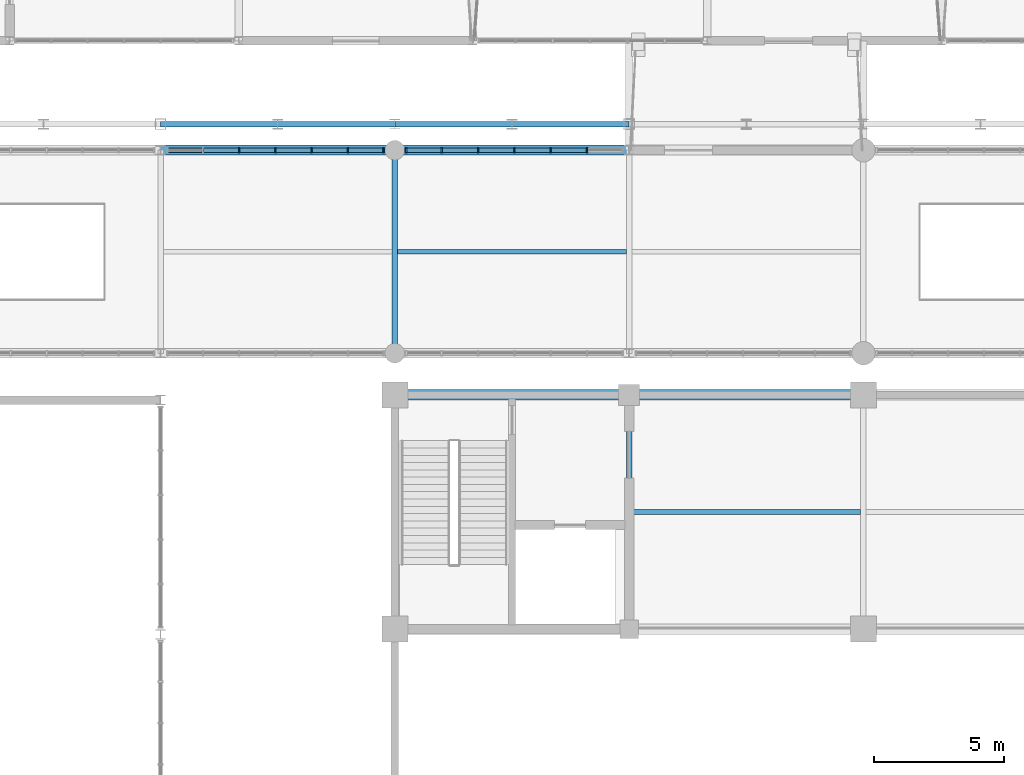
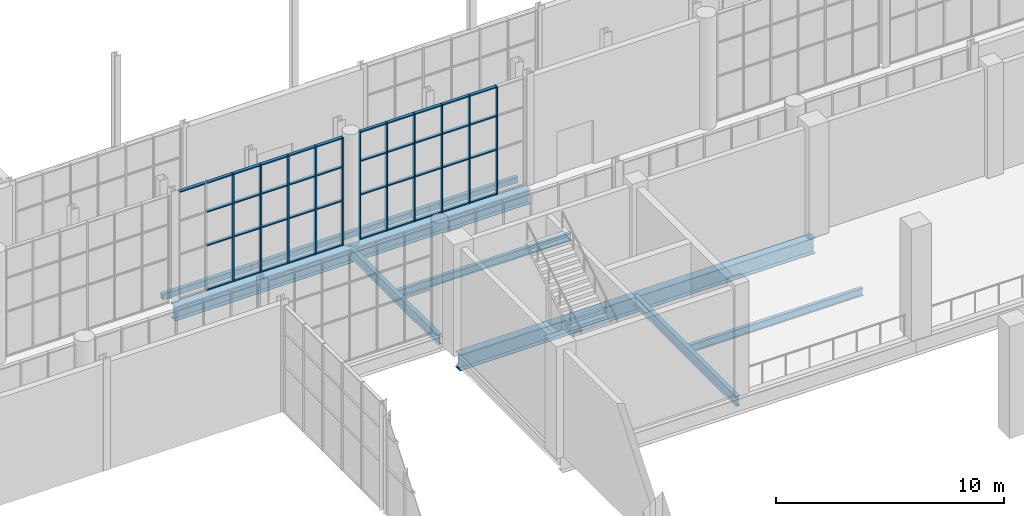
# One storey, part 39 of 159: 52 members, 11 beams, 2 elements without a shape of their own.
"""IFC4 building model written with IfcOpenShell, lengths in metres."""

from ifc_helpers import new_model, si_unit, direction, frame, origin, origin_2d, place, context, subcontext, project, spatial, rectangle, hollow_rectangle, i_section, extrude, material, layer, layer_set, material_profile, profile_set, type_object, element, aggregate, save


model = new_model("IFC4")

# Units and contexts
model_context = context("Model", 3, precision=1e-05, world=origin(), true_north=direction((0.0, 1.0)))
body_context = subcontext(model_context, "Body", "Model", "MODEL_VIEW")
ifc_project = project(units=[si_unit("LENGTHUNIT", "METRE"), si_unit("AREAUNIT", "SQUARE_METRE"), si_unit("VOLUMEUNIT", "CUBIC_METRE"), si_unit("PLANEANGLEUNIT", "RADIAN"), si_unit("MASSUNIT", "GRAM", prefix="KILO")], contexts=[model_context])

# Site, building, storey
site_placement = place(None, origin())
site = spatial("IfcSite", under=ifc_project, at=site_placement, CompositionType="ELEMENT")
building_placement = place(site_placement, origin())
building = spatial("IfcBuilding", under=site, at=building_placement, Name="Cazmaro Siding Exhibition Halls", CompositionType="ELEMENT")
storey_placement = place(building_placement, frame((0.0, 0.0, 6.0)))
storey = spatial("IfcBuildingStorey", under=building, at=storey_placement, Name="L01", CompositionType="ELEMENT", Elevation=6.0)

# Beams
ifc_material_1 = material(Name="Steel ASTM A992 Grade 50", Category="steel")
ifc_material_profile_1 = material_profile(ifc_material_1, i_section(OverallWidth=0.214111328125, OverallDepth=0.549072265625, WebThickness=0.014892578125, FlangeThickness=0.02392578125, at=origin_2d()), Name="W21X93")
ifc_profile_set_1 = profile_set([ifc_material_profile_1], Name="Steel ASTM A992 Grade 50")
beam_type_1 = type_object("IfcBeamType", Name="B-01", PredefinedType="BEAM", material=ifc_profile_set_1)
beam_1_placement = place(storey_placement, frame((81.0, 44.60009765625, -0.52392578125), z_axis=(0.0, 1.0, 0.0), x_axis=(-1.0, 0.0, 0.0)))
element("IfcBeam", 1, at=beam_1_placement, inside=storey, type_object=beam_type_1, Name="Beam B-01 BM-1307", PredefinedType="BEAM", context=body_context, shape_type="SweptSolid", body=[
    extrude(i_section(OverallWidth=0.214111328125, OverallDepth=0.549072265625, WebThickness=0.014892578125, FlangeThickness=0.02392578125, at=origin_2d()), origin(), (0.0, 0.0, 1.0), 9.0),
])
ifc_material_2 = material(Name="Steel ASTM A992 Grade 50", Category="steel")
ifc_material_profile_2 = material_profile(ifc_material_2, i_section(OverallWidth=0.2099609375, OverallDepth=0.535888671875, WebThickness=0.010986328125, FlangeThickness=0.01708984375, at=origin_2d()), Name="W21X68")
ifc_profile_set_2 = profile_set([ifc_material_profile_2], Name="Steel ASTM A992 Grade 50")
beam_type_2 = type_object("IfcBeamType", Name="B-02", PredefinedType="BEAM", material=ifc_profile_set_2)
beam_2_placement = place(storey_placement, frame((72.0, 55.199951171875, -0.488037109375), z_axis=(0.0, 1.0, 0.0), x_axis=(-1.0, 0.0, 0.0)))
element("IfcBeam", 2, at=beam_2_placement, inside=storey, type_object=beam_type_2, Name="Beam B-02 BM-1696", PredefinedType="BEAM", context=body_context, shape_type="SweptSolid", body=[
    extrude(i_section(OverallWidth=0.2099609375, OverallDepth=0.535888671875, WebThickness=0.010986328125, FlangeThickness=0.01708984375, at=origin_2d()), origin(), (0.0, 0.0, 1.0), 7.800048828125),
])

# Curtain wall, members
ifc_material_3 = material(Name="Anodized Bronze Aluminum and Solar-Control Low-E Glazing", Category="aluminium")
ifc_layer = layer(ifc_material_3, 0.179931640625)
ifc_layer_set = layer_set([ifc_layer], Name="Anodized Bronze Aluminum and Solar-Control Low-E Glazing")
curtain_wall_type = type_object("IfcCurtainWallType", Name="CWS-01", PredefinedType="USERDEFINED", material=ifc_layer_set)
curtain_wall_1_placement = place(storey_placement, origin())
curtain_wall_1 = element("IfcCurtainWall", 3, at=curtain_wall_1_placement, inside=storey, type_object=curtain_wall_type, Name="Glazed Curtain Wall CWS-01 CW-159", ObjectType="GLAZED CURTAIN WALL", PredefinedType="USERDEFINED")
ifc_material_4 = material(Name="Anodized Bronze Extruded Aluminum", Category="aluminium")
ifc_material_profile_3 = material_profile(ifc_material_4, rectangle(XDim=0.179931640625, YDim=0.06005859375, at=origin_2d()), Name="CWM-01")
ifc_profile_set_3 = profile_set([ifc_material_profile_3], Name="Anodized Bronze Extruded Aluminum")
member_type_1 = type_object("IfcMemberType", Name="CWM-01", PredefinedType="MULLION", material=ifc_profile_set_3)
member_1_placement = place(storey_placement, frame((71.56201171875, 63.0, 0.0), z_axis=(0.0, 0.0, 1.0), x_axis=(0.0, -1.0, 0.0)))
member_1 = element("IfcMember", 4, at=member_1_placement, type_object=member_type_1, Name="CWS-01 mullion 1", PredefinedType="MULLION", context=body_context, shape_type="SweptSolid", body=[
    extrude(rectangle(XDim=0.179931640625, YDim=0.06005859375, at=origin_2d()), origin(), (0.0, 0.0, 1.0), 5.780029296875),
])
member_2_placement = place(storey_placement, frame((70.1982421875, 63.0, 0.0), z_axis=(0.0, 0.0, 1.0), x_axis=(0.0, -1.0, 0.0)))
member_2 = element("IfcMember", 5, at=member_2_placement, type_object=member_type_1, Name="CWS-01 mullion 2", PredefinedType="MULLION", context=body_context, shape_type="SweptSolid", body=[
    extrude(rectangle(XDim=0.179931640625, YDim=0.06005859375, at=origin_2d()), origin(), (0.0, 0.0, 1.0), 5.780029296875),
])
member_3_placement = place(storey_placement, frame((68.8046875, 63.0, 0.0), z_axis=(0.0, 0.0, 1.0), x_axis=(0.0, -1.0, 0.0)))
member_3 = element("IfcMember", 6, at=member_3_placement, type_object=member_type_1, Name="CWS-01 mullion 3", PredefinedType="MULLION", context=body_context, shape_type="SweptSolid", body=[
    extrude(rectangle(XDim=0.179931640625, YDim=0.06005859375, at=origin_2d()), origin(), (0.0, 0.0, 1.0), 5.780029296875),
])
member_4_placement = place(storey_placement, frame((67.410888671875, 63.0, 0.0), z_axis=(0.0, 0.0, 1.0), x_axis=(0.0, -1.0, 0.0)))
member_4 = element("IfcMember", 7, at=member_4_placement, type_object=member_type_1, Name="CWS-01 mullion 4", PredefinedType="MULLION", context=body_context, shape_type="SweptSolid", body=[
    extrude(rectangle(XDim=0.179931640625, YDim=0.06005859375, at=origin_2d()), origin(), (0.0, 0.0, 1.0), 5.780029296875),
])
member_5_placement = place(storey_placement, frame((66.017333984375, 63.0, 0.0), z_axis=(0.0, 0.0, 1.0), x_axis=(0.0, -1.0, 0.0)))
member_5 = element("IfcMember", 8, at=member_5_placement, type_object=member_type_1, Name="CWS-01 mullion 5", PredefinedType="MULLION", context=body_context, shape_type="SweptSolid", body=[
    extrude(rectangle(XDim=0.179931640625, YDim=0.06005859375, at=origin_2d()), origin(), (0.0, 0.0, 1.0), 5.780029296875),
])

curtain_wall_2_placement = place(storey_placement, origin())
curtain_wall_2 = element("IfcCurtainWall", 9, at=curtain_wall_2_placement, inside=storey, type_object=curtain_wall_type, Name="Glazed Curtain Wall CWS-01 CW-165", ObjectType="GLAZED CURTAIN WALL", PredefinedType="USERDEFINED")
member_6_placement = place(storey_placement, frame((79.376220703125, 63.0, 0.0), z_axis=(0.0, 0.0, 1.0), x_axis=(0.0, -1.0, 0.0)))
member_6 = element("IfcMember", 10, at=member_6_placement, type_object=member_type_1, Name="CWS-01 mullion 2", PredefinedType="MULLION", context=body_context, shape_type="SweptSolid", body=[
    extrude(rectangle(XDim=0.179931640625, YDim=0.06005859375, at=origin_2d()), origin(), (0.0, 0.0, 1.0), 5.780029296875),
])
member_7_placement = place(storey_placement, frame((77.982666015625, 63.0, 0.0), z_axis=(0.0, 0.0, 1.0), x_axis=(0.0, -1.0, 0.0)))
member_7 = element("IfcMember", 11, at=member_7_placement, type_object=member_type_1, Name="CWS-01 mullion 3", PredefinedType="MULLION", context=body_context, shape_type="SweptSolid", body=[
    extrude(rectangle(XDim=0.179931640625, YDim=0.06005859375, at=origin_2d()), origin(), (0.0, 0.0, 1.0), 5.780029296875),
])
member_8_placement = place(storey_placement, frame((76.589111328125, 63.0, 0.0), z_axis=(0.0, 0.0, 1.0), x_axis=(0.0, -1.0, 0.0)))
member_8 = element("IfcMember", 12, at=member_8_placement, type_object=member_type_1, Name="CWS-01 mullion 4", PredefinedType="MULLION", context=body_context, shape_type="SweptSolid", body=[
    extrude(rectangle(XDim=0.179931640625, YDim=0.06005859375, at=origin_2d()), origin(), (0.0, 0.0, 1.0), 5.780029296875),
])
member_9_placement = place(storey_placement, frame((75.1953125, 63.0, 0.0), z_axis=(0.0, 0.0, 1.0), x_axis=(0.0, -1.0, 0.0)))
member_9 = element("IfcMember", 13, at=member_9_placement, type_object=member_type_1, Name="CWS-01 mullion 5", PredefinedType="MULLION", context=body_context, shape_type="SweptSolid", body=[
    extrude(rectangle(XDim=0.179931640625, YDim=0.06005859375, at=origin_2d()), origin(), (0.0, 0.0, 1.0), 5.780029296875),
])
member_10_placement = place(storey_placement, frame((73.8017578125, 63.0, 0.0), z_axis=(0.0, 0.0, 1.0), x_axis=(0.0, -1.0, 0.0)))
member_10 = element("IfcMember", 14, at=member_10_placement, type_object=member_type_1, Name="CWS-01 mullion 6", PredefinedType="MULLION", context=body_context, shape_type="SweptSolid", body=[
    extrude(rectangle(XDim=0.179931640625, YDim=0.06005859375, at=origin_2d()), origin(), (0.0, 0.0, 1.0), 5.780029296875),
])
member_11_placement = place(storey_placement, frame((72.43798828125, 63.0, 0.0), z_axis=(0.0, 0.0, 1.0), x_axis=(0.0, -1.0, 0.0)))
member_11 = element("IfcMember", 15, at=member_11_placement, type_object=member_type_1, Name="CWS-01 mullion 7", PredefinedType="MULLION", context=body_context, shape_type="SweptSolid", body=[
    extrude(rectangle(XDim=0.179931640625, YDim=0.06005859375, at=origin_2d()), origin(), (0.0, 0.0, 1.0), 5.780029296875),
])

# Member
ifc_material_5 = material(Name="Anodized Bronze Extruded Aluminum", Category="aluminium")
ifc_material_profile_4 = material_profile(ifc_material_5, rectangle(XDim=0.159912109375, YDim=0.06005859375, at=origin_2d()), Name="CWT-01")
ifc_profile_set_4 = profile_set([ifc_material_profile_4], Name="Anodized Bronze Extruded Aluminum")
member_type_2 = type_object("IfcMemberType", Name="CWT-01", PredefinedType="MULLION", material=ifc_profile_set_4)
member_12_placement = place(storey_placement, frame((71.531982421875, 63.0, 0.030029296875), z_axis=(-1.0, 0.0, 0.0), x_axis=(0.0, -1.0, 0.0)))
member_12 = element("IfcMember", 16, at=member_12_placement, type_object=member_type_2, Name="CWS-01 transom 1.1", ObjectType="TRANSOM", PredefinedType="USERDEFINED", context=body_context, shape_type="SweptSolid", body=[
    extrude(rectangle(XDim=0.159912109375, YDim=0.06005859375, at=origin_2d()), origin(), (0.0, 0.0, 1.0), 1.3037109375),
])

member_13_placement = place(storey_placement, frame((71.531982421875, 63.0, 2.39990234375), z_axis=(-1.0, 0.0, 0.0), x_axis=(0.0, -1.0, 0.0)))
member_13 = element("IfcMember", 17, at=member_13_placement, type_object=member_type_2, Name="CWS-01 transom 1.2", ObjectType="TRANSOM", PredefinedType="USERDEFINED", context=body_context, shape_type="SweptSolid", body=[
    extrude(rectangle(XDim=0.159912109375, YDim=0.06005859375, at=origin_2d()), origin(), (0.0, 0.0, 1.0), 1.3037109375),
])

member_14_placement = place(storey_placement, frame((71.531982421875, 63.0, 4.199951171875), z_axis=(-1.0, 0.0, 0.0), x_axis=(0.0, -1.0, 0.0)))
member_14 = element("IfcMember", 18, at=member_14_placement, type_object=member_type_2, Name="CWS-01 transom 1.3", ObjectType="TRANSOM", PredefinedType="USERDEFINED", context=body_context, shape_type="SweptSolid", body=[
    extrude(rectangle(XDim=0.159912109375, YDim=0.06005859375, at=origin_2d()), origin(), (0.0, 0.0, 1.0), 1.3037109375),
])

member_15_placement = place(storey_placement, frame((71.531982421875, 63.0, 5.75), z_axis=(-1.0, 0.0, 0.0), x_axis=(0.0, -1.0, 0.0)))
member_15 = element("IfcMember", 19, at=member_15_placement, type_object=member_type_2, Name="CWS-01 transom 1.4", ObjectType="TRANSOM", PredefinedType="USERDEFINED", context=body_context, shape_type="SweptSolid", body=[
    extrude(rectangle(XDim=0.159912109375, YDim=0.06005859375, at=origin_2d()), origin(), (0.0, 0.0, 1.0), 1.3037109375),
])

member_16_placement = place(storey_placement, frame((70.168212890625, 63.0, 0.030029296875), z_axis=(-1.0, 0.0, 0.0), x_axis=(0.0, -1.0, 0.0)))
member_16 = element("IfcMember", 20, at=member_16_placement, type_object=member_type_2, Name="CWS-01 transom 2.1", ObjectType="TRANSOM", PredefinedType="USERDEFINED", context=body_context, shape_type="SweptSolid", body=[
    extrude(rectangle(XDim=0.159912109375, YDim=0.06005859375, at=origin_2d()), origin(), (0.0, 0.0, 1.0), 1.33349609375),
])

member_17_placement = place(storey_placement, frame((70.168212890625, 63.0, 2.39990234375), z_axis=(-1.0, 0.0, 0.0), x_axis=(0.0, -1.0, 0.0)))
member_17 = element("IfcMember", 21, at=member_17_placement, type_object=member_type_2, Name="CWS-01 transom 2.2", ObjectType="TRANSOM", PredefinedType="USERDEFINED", context=body_context, shape_type="SweptSolid", body=[
    extrude(rectangle(XDim=0.159912109375, YDim=0.06005859375, at=origin_2d()), origin(), (0.0, 0.0, 1.0), 1.33349609375),
])

member_18_placement = place(storey_placement, frame((70.168212890625, 63.0, 4.199951171875), z_axis=(-1.0, 0.0, 0.0), x_axis=(0.0, -1.0, 0.0)))
member_18 = element("IfcMember", 22, at=member_18_placement, type_object=member_type_2, Name="CWS-01 transom 2.3", ObjectType="TRANSOM", PredefinedType="USERDEFINED", context=body_context, shape_type="SweptSolid", body=[
    extrude(rectangle(XDim=0.159912109375, YDim=0.06005859375, at=origin_2d()), origin(), (0.0, 0.0, 1.0), 1.33349609375),
])

member_19_placement = place(storey_placement, frame((70.168212890625, 63.0, 5.75), z_axis=(-1.0, 0.0, 0.0), x_axis=(0.0, -1.0, 0.0)))
member_19 = element("IfcMember", 23, at=member_19_placement, type_object=member_type_2, Name="CWS-01 transom 2.4", ObjectType="TRANSOM", PredefinedType="USERDEFINED", context=body_context, shape_type="SweptSolid", body=[
    extrude(rectangle(XDim=0.159912109375, YDim=0.06005859375, at=origin_2d()), origin(), (0.0, 0.0, 1.0), 1.33349609375),
])

member_20_placement = place(storey_placement, frame((68.774658203125, 63.0, 0.030029296875), z_axis=(-1.0, 0.0, 0.0), x_axis=(0.0, -1.0, 0.0)))
member_20 = element("IfcMember", 24, at=member_20_placement, type_object=member_type_2, Name="CWS-01 transom 3.1", ObjectType="TRANSOM", PredefinedType="USERDEFINED", context=body_context, shape_type="SweptSolid", body=[
    extrude(rectangle(XDim=0.159912109375, YDim=0.06005859375, at=origin_2d()), origin(), (0.0, 0.0, 1.0), 1.333740234375),
])

member_21_placement = place(storey_placement, frame((68.774658203125, 63.0, 2.39990234375), z_axis=(-1.0, 0.0, 0.0), x_axis=(0.0, -1.0, 0.0)))
member_21 = element("IfcMember", 25, at=member_21_placement, type_object=member_type_2, Name="CWS-01 transom 3.2", ObjectType="TRANSOM", PredefinedType="USERDEFINED", context=body_context, shape_type="SweptSolid", body=[
    extrude(rectangle(XDim=0.159912109375, YDim=0.06005859375, at=origin_2d()), origin(), (0.0, 0.0, 1.0), 1.333740234375),
])

member_22_placement = place(storey_placement, frame((68.774658203125, 63.0, 4.199951171875), z_axis=(-1.0, 0.0, 0.0), x_axis=(0.0, -1.0, 0.0)))
member_22 = element("IfcMember", 26, at=member_22_placement, type_object=member_type_2, Name="CWS-01 transom 3.3", ObjectType="TRANSOM", PredefinedType="USERDEFINED", context=body_context, shape_type="SweptSolid", body=[
    extrude(rectangle(XDim=0.159912109375, YDim=0.06005859375, at=origin_2d()), origin(), (0.0, 0.0, 1.0), 1.333740234375),
])

member_23_placement = place(storey_placement, frame((68.774658203125, 63.0, 5.75), z_axis=(-1.0, 0.0, 0.0), x_axis=(0.0, -1.0, 0.0)))
member_23 = element("IfcMember", 27, at=member_23_placement, type_object=member_type_2, Name="CWS-01 transom 3.4", ObjectType="TRANSOM", PredefinedType="USERDEFINED", context=body_context, shape_type="SweptSolid", body=[
    extrude(rectangle(XDim=0.159912109375, YDim=0.06005859375, at=origin_2d()), origin(), (0.0, 0.0, 1.0), 1.333740234375),
])

member_24_placement = place(storey_placement, frame((67.381103515625, 63.0, 0.030029296875), z_axis=(-1.0, 0.0, 0.0), x_axis=(0.0, -1.0, 0.0)))
member_24 = element("IfcMember", 28, at=member_24_placement, type_object=member_type_2, Name="CWS-01 transom 4.1", ObjectType="TRANSOM", PredefinedType="USERDEFINED", context=body_context, shape_type="SweptSolid", body=[
    extrude(rectangle(XDim=0.159912109375, YDim=0.06005859375, at=origin_2d()), origin(), (0.0, 0.0, 1.0), 1.333740234375),
])

member_25_placement = place(storey_placement, frame((67.381103515625, 63.0, 2.39990234375), z_axis=(-1.0, 0.0, 0.0), x_axis=(0.0, -1.0, 0.0)))
member_25 = element("IfcMember", 29, at=member_25_placement, type_object=member_type_2, Name="CWS-01 transom 4.2", ObjectType="TRANSOM", PredefinedType="USERDEFINED", context=body_context, shape_type="SweptSolid", body=[
    extrude(rectangle(XDim=0.159912109375, YDim=0.06005859375, at=origin_2d()), origin(), (0.0, 0.0, 1.0), 1.333740234375),
])

member_26_placement = place(storey_placement, frame((67.381103515625, 63.0, 4.199951171875), z_axis=(-1.0, 0.0, 0.0), x_axis=(0.0, -1.0, 0.0)))
member_26 = element("IfcMember", 30, at=member_26_placement, type_object=member_type_2, Name="CWS-01 transom 4.3", ObjectType="TRANSOM", PredefinedType="USERDEFINED", context=body_context, shape_type="SweptSolid", body=[
    extrude(rectangle(XDim=0.159912109375, YDim=0.06005859375, at=origin_2d()), origin(), (0.0, 0.0, 1.0), 1.333740234375),
])

member_27_placement = place(storey_placement, frame((67.381103515625, 63.0, 5.75), z_axis=(-1.0, 0.0, 0.0), x_axis=(0.0, -1.0, 0.0)))
member_27 = element("IfcMember", 31, at=member_27_placement, type_object=member_type_2, Name="CWS-01 transom 4.4", ObjectType="TRANSOM", PredefinedType="USERDEFINED", context=body_context, shape_type="SweptSolid", body=[
    extrude(rectangle(XDim=0.159912109375, YDim=0.06005859375, at=origin_2d()), origin(), (0.0, 0.0, 1.0), 1.333740234375),
])

member_28_placement = place(storey_placement, frame((65.9873046875, 63.0, 0.030029296875), z_axis=(-1.0, 0.0, 0.0), x_axis=(0.0, -1.0, 0.0)))
member_28 = element("IfcMember", 32, at=member_28_placement, type_object=member_type_2, Name="CWS-01 transom 5.1", ObjectType="TRANSOM", PredefinedType="USERDEFINED", context=body_context, shape_type="SweptSolid", body=[
    extrude(rectangle(XDim=0.159912109375, YDim=0.06005859375, at=origin_2d()), origin(), (0.0, 0.0, 1.0), 1.333740234375),
])

member_29_placement = place(storey_placement, frame((65.9873046875, 63.0, 2.39990234375), z_axis=(-1.0, 0.0, 0.0), x_axis=(0.0, -1.0, 0.0)))
member_29 = element("IfcMember", 33, at=member_29_placement, type_object=member_type_2, Name="CWS-01 transom 5.2", ObjectType="TRANSOM", PredefinedType="USERDEFINED", context=body_context, shape_type="SweptSolid", body=[
    extrude(rectangle(XDim=0.159912109375, YDim=0.06005859375, at=origin_2d()), origin(), (0.0, 0.0, 1.0), 1.333740234375),
])

member_30_placement = place(storey_placement, frame((65.9873046875, 63.0, 4.199951171875), z_axis=(-1.0, 0.0, 0.0), x_axis=(0.0, -1.0, 0.0)))
member_30 = element("IfcMember", 34, at=member_30_placement, type_object=member_type_2, Name="CWS-01 transom 5.3", ObjectType="TRANSOM", PredefinedType="USERDEFINED", context=body_context, shape_type="SweptSolid", body=[
    extrude(rectangle(XDim=0.159912109375, YDim=0.06005859375, at=origin_2d()), origin(), (0.0, 0.0, 1.0), 1.333740234375),
])

member_31_placement = place(storey_placement, frame((65.9873046875, 63.0, 5.75), z_axis=(-1.0, 0.0, 0.0), x_axis=(0.0, -1.0, 0.0)))
member_31 = element("IfcMember", 35, at=member_31_placement, type_object=member_type_2, Name="CWS-01 transom 5.4", ObjectType="TRANSOM", PredefinedType="USERDEFINED", context=body_context, shape_type="SweptSolid", body=[
    extrude(rectangle(XDim=0.159912109375, YDim=0.06005859375, at=origin_2d()), origin(), (0.0, 0.0, 1.0), 1.333740234375),
])

member_32_placement = place(storey_placement, frame((64.59375, 63.0, 5.75), z_axis=(-1.0, 0.0, 0.0), x_axis=(0.0, -1.0, 0.0)))
member_32 = element("IfcMember", 36, at=member_32_placement, type_object=member_type_2, Name="CWS-01 transom 6.4", ObjectType="TRANSOM", PredefinedType="USERDEFINED", context=body_context, shape_type="SweptSolid", body=[
    extrude(rectangle(XDim=0.159912109375, YDim=0.06005859375, at=origin_2d()), origin(), (0.0, 0.0, 1.0), 1.3037109375),
])

aggregate(curtain_wall_1, [member_1, member_2, member_3, member_4, member_5, member_12, member_13, member_14, member_15, member_16, member_17, member_18, member_19, member_20, member_21, member_22, member_23, member_24, member_25, member_26, member_27, member_28, member_29, member_30, member_31, member_32])

member_33_placement = place(storey_placement, frame((79.346435546875, 63.0, 0.030029296875), z_axis=(-1.0, 0.0, 0.0), x_axis=(0.0, -1.0, 0.0)))
member_33 = element("IfcMember", 37, at=member_33_placement, type_object=member_type_2, Name="CWS-01 transom 2.1", ObjectType="TRANSOM", PredefinedType="USERDEFINED", context=body_context, shape_type="SweptSolid", body=[
    extrude(rectangle(XDim=0.159912109375, YDim=0.06005859375, at=origin_2d()), origin(), (0.0, 0.0, 1.0), 1.333740234375),
])

member_34_placement = place(storey_placement, frame((79.346435546875, 63.0, 2.39990234375), z_axis=(-1.0, 0.0, 0.0), x_axis=(0.0, -1.0, 0.0)))
member_34 = element("IfcMember", 38, at=member_34_placement, type_object=member_type_2, Name="CWS-01 transom 2.2", ObjectType="TRANSOM", PredefinedType="USERDEFINED", context=body_context, shape_type="SweptSolid", body=[
    extrude(rectangle(XDim=0.159912109375, YDim=0.06005859375, at=origin_2d()), origin(), (0.0, 0.0, 1.0), 1.333740234375),
])

member_35_placement = place(storey_placement, frame((79.346435546875, 63.0, 4.199951171875), z_axis=(-1.0, 0.0, 0.0), x_axis=(0.0, -1.0, 0.0)))
member_35 = element("IfcMember", 39, at=member_35_placement, type_object=member_type_2, Name="CWS-01 transom 2.3", ObjectType="TRANSOM", PredefinedType="USERDEFINED", context=body_context, shape_type="SweptSolid", body=[
    extrude(rectangle(XDim=0.159912109375, YDim=0.06005859375, at=origin_2d()), origin(), (0.0, 0.0, 1.0), 1.333740234375),
])

member_36_placement = place(storey_placement, frame((79.346435546875, 63.0, 5.75), z_axis=(-1.0, 0.0, 0.0), x_axis=(0.0, -1.0, 0.0)))
member_36 = element("IfcMember", 40, at=member_36_placement, type_object=member_type_2, Name="CWS-01 transom 2.4", ObjectType="TRANSOM", PredefinedType="USERDEFINED", context=body_context, shape_type="SweptSolid", body=[
    extrude(rectangle(XDim=0.159912109375, YDim=0.06005859375, at=origin_2d()), origin(), (0.0, 0.0, 1.0), 1.333740234375),
])

member_37_placement = place(storey_placement, frame((77.95263671875, 63.0, 0.030029296875), z_axis=(-1.0, 0.0, 0.0), x_axis=(0.0, -1.0, 0.0)))
member_37 = element("IfcMember", 41, at=member_37_placement, type_object=member_type_2, Name="CWS-01 transom 3.1", ObjectType="TRANSOM", PredefinedType="USERDEFINED", context=body_context, shape_type="SweptSolid", body=[
    extrude(rectangle(XDim=0.159912109375, YDim=0.06005859375, at=origin_2d()), origin(), (0.0, 0.0, 1.0), 1.333740234375),
])

member_38_placement = place(storey_placement, frame((77.95263671875, 63.0, 2.39990234375), z_axis=(-1.0, 0.0, 0.0), x_axis=(0.0, -1.0, 0.0)))
member_38 = element("IfcMember", 42, at=member_38_placement, type_object=member_type_2, Name="CWS-01 transom 3.2", ObjectType="TRANSOM", PredefinedType="USERDEFINED", context=body_context, shape_type="SweptSolid", body=[
    extrude(rectangle(XDim=0.159912109375, YDim=0.06005859375, at=origin_2d()), origin(), (0.0, 0.0, 1.0), 1.333740234375),
])

member_39_placement = place(storey_placement, frame((77.95263671875, 63.0, 4.199951171875), z_axis=(-1.0, 0.0, 0.0), x_axis=(0.0, -1.0, 0.0)))
member_39 = element("IfcMember", 43, at=member_39_placement, type_object=member_type_2, Name="CWS-01 transom 3.3", ObjectType="TRANSOM", PredefinedType="USERDEFINED", context=body_context, shape_type="SweptSolid", body=[
    extrude(rectangle(XDim=0.159912109375, YDim=0.06005859375, at=origin_2d()), origin(), (0.0, 0.0, 1.0), 1.333740234375),
])

member_40_placement = place(storey_placement, frame((77.95263671875, 63.0, 5.75), z_axis=(-1.0, 0.0, 0.0), x_axis=(0.0, -1.0, 0.0)))
member_40 = element("IfcMember", 44, at=member_40_placement, type_object=member_type_2, Name="CWS-01 transom 3.4", ObjectType="TRANSOM", PredefinedType="USERDEFINED", context=body_context, shape_type="SweptSolid", body=[
    extrude(rectangle(XDim=0.159912109375, YDim=0.06005859375, at=origin_2d()), origin(), (0.0, 0.0, 1.0), 1.333740234375),
])

member_41_placement = place(storey_placement, frame((76.55908203125, 63.0, 0.030029296875), z_axis=(-1.0, 0.0, 0.0), x_axis=(0.0, -1.0, 0.0)))
member_41 = element("IfcMember", 45, at=member_41_placement, type_object=member_type_2, Name="CWS-01 transom 4.1", ObjectType="TRANSOM", PredefinedType="USERDEFINED", context=body_context, shape_type="SweptSolid", body=[
    extrude(rectangle(XDim=0.159912109375, YDim=0.06005859375, at=origin_2d()), origin(), (0.0, 0.0, 1.0), 1.333740234375),
])

member_42_placement = place(storey_placement, frame((76.55908203125, 63.0, 2.39990234375), z_axis=(-1.0, 0.0, 0.0), x_axis=(0.0, -1.0, 0.0)))
member_42 = element("IfcMember", 46, at=member_42_placement, type_object=member_type_2, Name="CWS-01 transom 4.2", ObjectType="TRANSOM", PredefinedType="USERDEFINED", context=body_context, shape_type="SweptSolid", body=[
    extrude(rectangle(XDim=0.159912109375, YDim=0.06005859375, at=origin_2d()), origin(), (0.0, 0.0, 1.0), 1.333740234375),
])

member_43_placement = place(storey_placement, frame((76.55908203125, 63.0, 4.199951171875), z_axis=(-1.0, 0.0, 0.0), x_axis=(0.0, -1.0, 0.0)))
member_43 = element("IfcMember", 47, at=member_43_placement, type_object=member_type_2, Name="CWS-01 transom 4.3", ObjectType="TRANSOM", PredefinedType="USERDEFINED", context=body_context, shape_type="SweptSolid", body=[
    extrude(rectangle(XDim=0.159912109375, YDim=0.06005859375, at=origin_2d()), origin(), (0.0, 0.0, 1.0), 1.333740234375),
])

member_44_placement = place(storey_placement, frame((76.55908203125, 63.0, 5.75), z_axis=(-1.0, 0.0, 0.0), x_axis=(0.0, -1.0, 0.0)))
member_44 = element("IfcMember", 48, at=member_44_placement, type_object=member_type_2, Name="CWS-01 transom 4.4", ObjectType="TRANSOM", PredefinedType="USERDEFINED", context=body_context, shape_type="SweptSolid", body=[
    extrude(rectangle(XDim=0.159912109375, YDim=0.06005859375, at=origin_2d()), origin(), (0.0, 0.0, 1.0), 1.333740234375),
])

member_45_placement = place(storey_placement, frame((75.165283203125, 63.0, 0.030029296875), z_axis=(-1.0, 0.0, 0.0), x_axis=(0.0, -1.0, 0.0)))
member_45 = element("IfcMember", 49, at=member_45_placement, type_object=member_type_2, Name="CWS-01 transom 5.1", ObjectType="TRANSOM", PredefinedType="USERDEFINED", context=body_context, shape_type="SweptSolid", body=[
    extrude(rectangle(XDim=0.159912109375, YDim=0.06005859375, at=origin_2d()), origin(), (0.0, 0.0, 1.0), 1.33349609375),
])

member_46_placement = place(storey_placement, frame((75.165283203125, 63.0, 2.39990234375), z_axis=(-1.0, 0.0, 0.0), x_axis=(0.0, -1.0, 0.0)))
member_46 = element("IfcMember", 50, at=member_46_placement, type_object=member_type_2, Name="CWS-01 transom 5.2", ObjectType="TRANSOM", PredefinedType="USERDEFINED", context=body_context, shape_type="SweptSolid", body=[
    extrude(rectangle(XDim=0.159912109375, YDim=0.06005859375, at=origin_2d()), origin(), (0.0, 0.0, 1.0), 1.33349609375),
])

member_47_placement = place(storey_placement, frame((75.165283203125, 63.0, 4.199951171875), z_axis=(-1.0, 0.0, 0.0), x_axis=(0.0, -1.0, 0.0)))
member_47 = element("IfcMember", 51, at=member_47_placement, type_object=member_type_2, Name="CWS-01 transom 5.3", ObjectType="TRANSOM", PredefinedType="USERDEFINED", context=body_context, shape_type="SweptSolid", body=[
    extrude(rectangle(XDim=0.159912109375, YDim=0.06005859375, at=origin_2d()), origin(), (0.0, 0.0, 1.0), 1.33349609375),
])

member_48_placement = place(storey_placement, frame((75.165283203125, 63.0, 5.75), z_axis=(-1.0, 0.0, 0.0), x_axis=(0.0, -1.0, 0.0)))
member_48 = element("IfcMember", 52, at=member_48_placement, type_object=member_type_2, Name="CWS-01 transom 5.4", ObjectType="TRANSOM", PredefinedType="USERDEFINED", context=body_context, shape_type="SweptSolid", body=[
    extrude(rectangle(XDim=0.159912109375, YDim=0.06005859375, at=origin_2d()), origin(), (0.0, 0.0, 1.0), 1.33349609375),
])

member_49_placement = place(storey_placement, frame((73.771728515625, 63.0, 0.030029296875), z_axis=(-1.0, 0.0, 0.0), x_axis=(0.0, -1.0, 0.0)))
member_49 = element("IfcMember", 53, at=member_49_placement, type_object=member_type_2, Name="CWS-01 transom 6.1", ObjectType="TRANSOM", PredefinedType="USERDEFINED", context=body_context, shape_type="SweptSolid", body=[
    extrude(rectangle(XDim=0.159912109375, YDim=0.06005859375, at=origin_2d()), origin(), (0.0, 0.0, 1.0), 1.3037109375),
])

member_50_placement = place(storey_placement, frame((73.771728515625, 63.0, 2.39990234375), z_axis=(-1.0, 0.0, 0.0), x_axis=(0.0, -1.0, 0.0)))
member_50 = element("IfcMember", 54, at=member_50_placement, type_object=member_type_2, Name="CWS-01 transom 6.2", ObjectType="TRANSOM", PredefinedType="USERDEFINED", context=body_context, shape_type="SweptSolid", body=[
    extrude(rectangle(XDim=0.159912109375, YDim=0.06005859375, at=origin_2d()), origin(), (0.0, 0.0, 1.0), 1.3037109375),
])

member_51_placement = place(storey_placement, frame((73.771728515625, 63.0, 4.199951171875), z_axis=(-1.0, 0.0, 0.0), x_axis=(0.0, -1.0, 0.0)))
member_51 = element("IfcMember", 55, at=member_51_placement, type_object=member_type_2, Name="CWS-01 transom 6.3", ObjectType="TRANSOM", PredefinedType="USERDEFINED", context=body_context, shape_type="SweptSolid", body=[
    extrude(rectangle(XDim=0.159912109375, YDim=0.06005859375, at=origin_2d()), origin(), (0.0, 0.0, 1.0), 1.3037109375),
])

member_52_placement = place(storey_placement, frame((73.771728515625, 63.0, 5.75), z_axis=(-1.0, 0.0, 0.0), x_axis=(0.0, -1.0, 0.0)))
member_52 = element("IfcMember", 56, at=member_52_placement, type_object=member_type_2, Name="CWS-01 transom 6.4", ObjectType="TRANSOM", PredefinedType="USERDEFINED", context=body_context, shape_type="SweptSolid", body=[
    extrude(rectangle(XDim=0.159912109375, YDim=0.06005859375, at=origin_2d()), origin(), (0.0, 0.0, 1.0), 1.3037109375),
])

aggregate(curtain_wall_2, [member_6, member_7, member_8, member_9, member_10, member_11, member_33, member_34, member_35, member_36, member_37, member_38, member_39, member_40, member_41, member_42, member_43, member_44, member_45, member_46, member_47, member_48, member_49, member_50, member_51, member_52])

# Beams
ifc_material_6 = material(Name="Steel ASTM A992 Grade 50", Category="steel")
ifc_material_profile_5 = material_profile(ifc_material_6, i_section(OverallWidth=0.381103515625, OverallDepth=0.779052734375, WebThickness=0.01806640625, FlangeThickness=0.030029296875, at=origin_2d()), Name="W30X191")
ifc_profile_set_5 = profile_set([ifc_material_profile_5], Name="Steel ASTM A992 Grade 50")
beam_type_3 = type_object("IfcBeamType", Name="G-04", PredefinedType="USERDEFINED", material=ifc_profile_set_5)
for number, where, z_axis, x_axis, name in (
    (57, (63.0, 63.0, -0.60888671875), (1.0, 0.0, 0.0), (0.0, 1.0, 0.0), "Beam G-04 BM-1593"),
    (58, (72.0, 63.0, -0.60888671875), (1.0, 0.0, 0.0), (0.0, 1.0, 0.0), "Beam G-04 BM-1602"),
):
    element("IfcBeam", number, at=place(storey_placement, frame(where, z_axis=z_axis, x_axis=x_axis)), inside=storey, type_object=beam_type_3, Name=name, ObjectType="GIRDER", PredefinedType="USERDEFINED", context=body_context, shape_type="SweptSolid", body=[
        extrude(i_section(OverallWidth=0.381103515625, OverallDepth=0.779052734375, WebThickness=0.01806640625, FlangeThickness=0.030029296875, at=origin_2d()), origin(), (0.0, 0.0, 1.0), 9.0),
    ])
ifc_material_7 = material(Name="Steel ASTM A992 Grade 50", Category="steel")
ifc_material_profile_6 = material_profile(ifc_material_7, i_section(OverallWidth=0.40087890625, OverallDepth=0.85595703125, WebThickness=0.01806640625, FlangeThickness=0.029052734375, at=origin_2d()), Name="W33X201")
ifc_profile_set_6 = profile_set([ifc_material_profile_6], Name="Steel ASTM A992 Grade 50")
beam_type_4 = type_object("IfcBeamType", Name="G-09", PredefinedType="USERDEFINED", material=ifc_profile_set_6)
beam_3_placement = place(storey_placement, frame((72.0, 53.60009765625, -0.677978515625), z_axis=(1.0, 0.0, 0.0), x_axis=(0.0, 1.0, 0.0)))
element("IfcBeam", 59, at=beam_3_placement, inside=storey, type_object=beam_type_4, Name="Beam G-09 BM-1235", ObjectType="GIRDER", PredefinedType="USERDEFINED", context=body_context, shape_type="SweptSolid", body=[
    extrude(i_section(OverallWidth=0.40087890625, OverallDepth=0.85595703125, WebThickness=0.01806640625, FlangeThickness=0.029052734375, at=origin_2d()), origin(), (0.0, 0.0, 1.0), 18.0),
])
ifc_material_8 = material(Name="Steel ASTM A992 Grade 50", Category="steel")
ifc_material_profile_7 = material_profile(ifc_material_8, i_section(OverallWidth=0.177978515625, OverallDepth=0.406005859375, WebThickness=0.008056640625, FlangeThickness=0.012939453125, at=origin_2d()), Name="W16X40")
ifc_profile_set_7 = profile_set([ifc_material_profile_7], Name="Steel ASTM A992 Grade 50")
beam_type_5 = type_object("IfcBeamType", Name="J-02", PredefinedType="JOIST", material=ifc_profile_set_7)
beam_4_placement = place(storey_placement, frame((72.10498046875, 59.10009765625, -0.423095703125), z_axis=(1.0, 0.0, 0.0), x_axis=(0.0, 1.0, 0.0)))
element("IfcBeam", 60, at=beam_4_placement, inside=storey, type_object=beam_type_5, Name="Beam J-02 BM-1603", PredefinedType="JOIST", context=body_context, shape_type="SweptSolid", body=[
    extrude(i_section(OverallWidth=0.177978515625, OverallDepth=0.406005859375, WebThickness=0.008056640625, FlangeThickness=0.012939453125, at=origin_2d()), origin(), (0.0, 0.0, 1.0), 8.7900390625),
])
ifc_material_9 = material(Name="Steel ASTM A992 Grade 50", Category="steel")
ifc_material_profile_8 = material_profile(ifc_material_9, i_section(OverallWidth=0.180908203125, OverallDepth=0.4169921875, WebThickness=0.010986328125, FlangeThickness=0.01806640625, at=origin_2d()), Name="W16X57")
ifc_profile_set_8 = profile_set([ifc_material_profile_8], Name="Steel ASTM A992 Grade 50")
beam_type_6 = type_object("IfcBeamType", Name="J-03", PredefinedType="JOIST", material=ifc_profile_set_8)
beam_5_placement = place(storey_placement, frame((81.10693359375, 49.10009765625, -0.4580078125), z_axis=(1.0, 0.0, 0.0), x_axis=(0.0, 1.0, 0.0)))
element("IfcBeam", 61, at=beam_5_placement, inside=storey, type_object=beam_type_6, Name="Beam J-03 BM-1309", PredefinedType="JOIST", context=body_context, shape_type="SweptSolid", body=[
    extrude(i_section(OverallWidth=0.180908203125, OverallDepth=0.4169921875, WebThickness=0.010986328125, FlangeThickness=0.01806640625, at=origin_2d()), origin(), (0.0, 0.0, 1.0), 8.7861328125),
])
ifc_material_10 = material(Name="Steel ASTM A500 Grade C", Category="steel")
ifc_material_profile_9 = material_profile(ifc_material_10, hollow_rectangle(XDim=0.202880859375, YDim=0.304931640625, WallThickness=0.011962890625, at=origin_2d()), Name="HSS12X8X1/2")
ifc_profile_set_9 = profile_set([ifc_material_profile_9], Name="Steel ASTM A500 Grade C")
beam_type_7 = type_object("IfcBeamType", Name="SP-01", PredefinedType="SPANDREL", material=ifc_profile_set_9)
for number, where, z_axis, x_axis, name in (
    (62, (63.0, 64.0, -0.3720703125), (1.0, 0.0, 0.0), (0.0, 1.0, 0.0), "Beam SP-01 BM-0085"),
    (63, (67.5, 64.0, -0.3720703125), (1.0, 0.0, 0.0), (0.0, 1.0, 0.0), "Beam SP-01 BM-0091"),
    (64, (72.0, 64.0, -0.3720703125), (1.0, 0.0, 0.0), (0.0, 1.0, 0.0), "Beam SP-01 BM-0097"),
    (65, (76.5, 64.0, -0.3720703125), (1.0, 0.0, 0.0), (0.0, 1.0, 0.0), "Beam SP-01 BM-0103"),
):
    element("IfcBeam", number, at=place(storey_placement, frame(where, z_axis=z_axis, x_axis=x_axis)), inside=storey, type_object=beam_type_7, Name=name, PredefinedType="SPANDREL", context=body_context, shape_type="SweptSolid", body=[
        extrude(hollow_rectangle(XDim=0.202880859375, YDim=0.304931640625, WallThickness=0.011962890625, at=origin_2d()), origin(), (0.0, 0.0, 1.0), 4.5),
    ])

save(model, "model.ifc")
